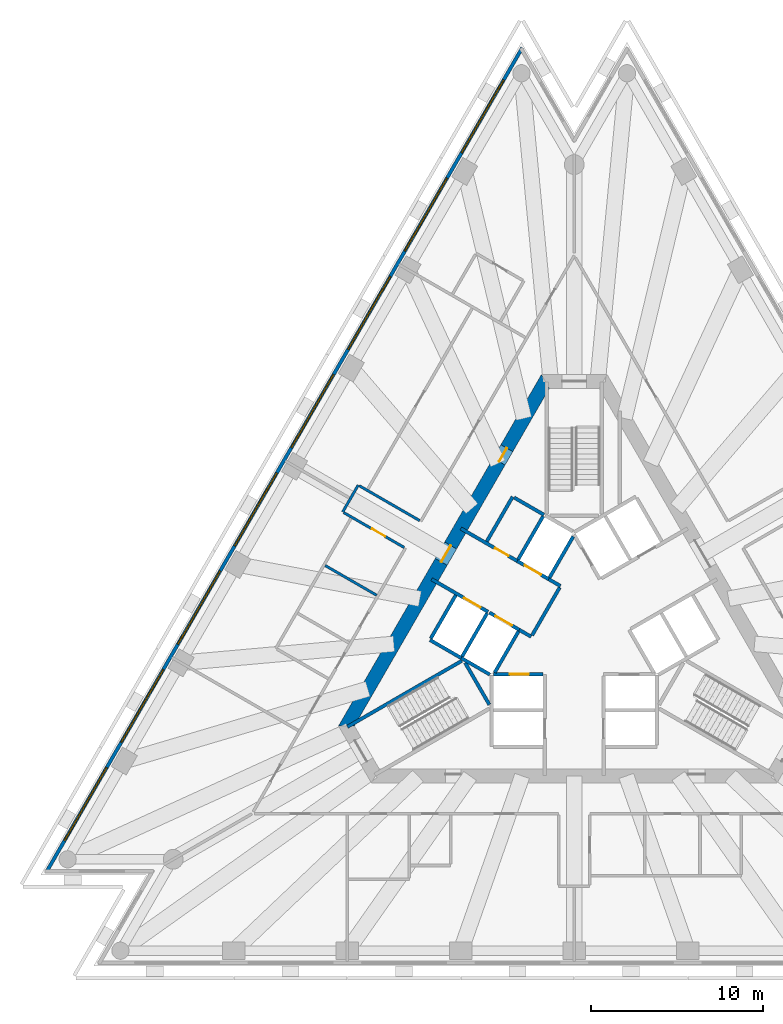
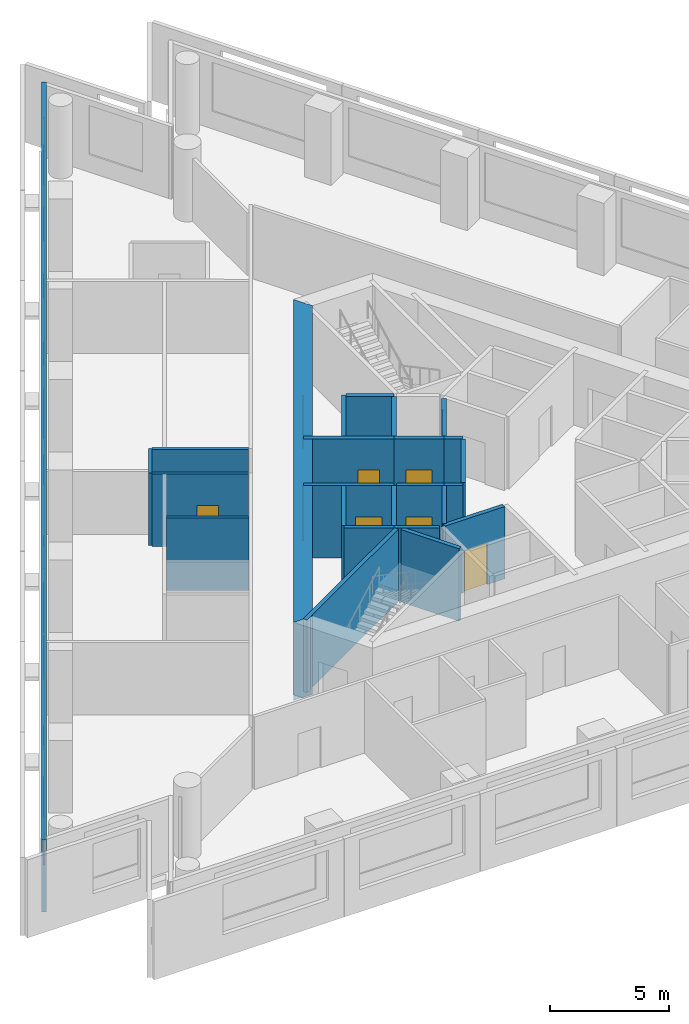
# One storey, part 4 of 10: 25 walls, 8 doors, 8 windows, 16 openings.
"""IFC4 building model written with IfcOpenShell, lengths in metres."""

from ifc_helpers import new_model, si_unit, direction, frame, frame_2d, origin, place, context, subcontext, project, spatial, polyline, rectangle, outline, extrude, material, layer, layer_set, layer_usage, type_object, element, fill, save


model = new_model("IFC4")

# Units and contexts
model_context = context("Model", 3, precision=1e-05, world=origin(), true_north=direction((0.0, 1.0)))
body_context = subcontext(model_context, "Body", "Model", "MODEL_VIEW")
ifc_project = project(units=[si_unit("LENGTHUNIT", "METRE"), si_unit("AREAUNIT", "SQUARE_METRE"), si_unit("VOLUMEUNIT", "CUBIC_METRE"), si_unit("PLANEANGLEUNIT", "RADIAN"), si_unit("MASSUNIT", "GRAM", prefix="KILO")], contexts=[model_context])

# Site, building, storey
site_placement = place(None, origin())
site = spatial("IfcSite", under=ifc_project, at=site_placement, CompositionType="ELEMENT")
building_placement = place(site_placement, origin())
building = spatial("IfcBuilding", under=site, at=building_placement, Name="Triada Interchange Tower", CompositionType="ELEMENT")
storey_placement = place(building_placement, frame((0.0, 0.0, 160.300048828125)))
storey = spatial("IfcBuildingStorey", under=building, at=storey_placement, Name="L37", CompositionType="ELEMENT", Elevation=160.300048828125)

# Walls
ifc_material_1 = material(Name="Concrete C30/37", Category="concrete")
ifc_layer_1 = layer(ifc_material_1, 0.199951171875)
ifc_layer_set_1 = layer_set([ifc_layer_1], Name="CORE WALL 200 EI 120")
wall_type_1 = type_object("IfcWallType", Name="CORE WALL 200 EI 120", PredefinedType="SOLIDWALL", material=ifc_layer_set_1)
wall_1_placement = place(storey_placement, frame((-8.3759765625, -0.70703125, 0.0), z_axis=(0.0, 0.0, 1.0), x_axis=(0.866067520717, -0.499927044236, 0.0)))
element("IfcWall", 1, at=wall_1_placement, inside=storey, type_object=wall_type_1, Name="Wall L35 51", PredefinedType="SOLIDWALL", context=body_context, shape_type="SweptSolid", body=[
    extrude(rectangle(XDim=2.100341796875, YDim=0.199951171875, at=frame_2d((1.05029296875, 0.0))), origin(), (0.0, 0.0, 1.0), 3.699951171875),
])
wall_2_placement = place(storey_placement, frame((-8.325927734375, -0.6201171875, 0.0), z_axis=(0.0, 0.0, 1.0), x_axis=(0.500023687443, 0.866011727401, 0.0)))
element("IfcWall", 2, at=wall_2_placement, inside=storey, type_object=wall_type_1, Name="Wall L35 52", PredefinedType="SOLIDWALL", context=body_context, shape_type="SweptSolid", body=[
    extrude(rectangle(XDim=2.899658203125, YDim=0.199951171875, at=frame_2d((1.44970703125, 0.0))), origin(), (0.0, 0.0, 1.0), 3.699951171875),
])

# Wall, opening, door
wall_3_placement = place(storey_placement, frame((-4.676025390625, -2.699951171875, 0.0), z_axis=(0.0, 0.0, 1.0), x_axis=(1.0, 0.0, 0.0)))
wall_3 = element("IfcWall", 3, at=wall_3_placement, inside=storey, type_object=wall_type_1, Name="Wall L35 59", PredefinedType="SOLIDWALL", context=body_context, shape_type="SweptSolid", body=[
    extrude(rectangle(XDim=2.873046875, YDim=0.199951171875, at=frame_2d((1.4365234375, 0.0))), origin(), (0.0, 0.0, 1.0), 3.699951171875),
])
opening_1_placement = place(wall_3_placement, frame((0.93701171875, 0.0, 0.0)))
opening_1 = element("IfcOpeningElement", 4, at=opening_1_placement, cuts=wall_3, Name="Opening LD-LR3", PredefinedType="OPENING", context=body_context, shape_type="SweptSolid", body=[
    extrude(rectangle(XDim=1.10009765625, YDim=2.10009765625, at=frame_2d((0.550048828125, 1.050048828125))), frame((0.0, 0.10986328125, 0.0), z_axis=(0.0, -1.0, 0.0), x_axis=(1.0, 0.0, 0.0)), (0.0, 0.0, 1.0), 0.219970703125),
])
ifc_material_2 = material(Name="Steel S235 door leaf", Category="steel")
door_type_1 = type_object("IfcDoorType", Name="LIFT LANDING DOOR 1100 EI 120", OperationType="SLIDING_TO_LEFT", PredefinedType="DOOR", material=ifc_material_2)
door_1_placement = place(opening_1_placement, origin())
door_1 = element("IfcDoor", 5, at=door_1_placement, inside=storey, type_object=door_type_1, Name="LR3 landing door L37", OperationType="SLIDING_TO_LEFT", OverallHeight=2.10009765625, OverallWidth=1.10009765625, PredefinedType="DOOR", context=body_context, shape_type="SweptSolid", body=[
    extrude(rectangle(XDim=1.10009765625, YDim=2.10009765625, at=frame_2d((0.550048828125, 1.050048828125))), frame((0.0, 0.02490234375, 0.0), z_axis=(0.0, -1.0, 0.0), x_axis=(1.0, 0.0, 0.0)), (0.0, 0.0, 1.0), 0.050048828125),
])
fill(opening_1, door_1)

ifc_layer_2 = layer(ifc_material_1, 0.199951171875)
ifc_layer_set_2 = layer_set([ifc_layer_2], Name="CORE WALL 200 EI 180")
wall_type_2 = type_object("IfcWallType", Name="CORE WALL 200 EI 180", PredefinedType="SOLIDWALL", material=ifc_layer_set_2)
wall_4_placement = place(storey_placement, frame((-8.280029296875, 2.818115234375, 0.0), z_axis=(0.0, 0.0, 1.0), x_axis=(0.86600175068, -0.50004096614, 0.0)))
wall_4 = element("IfcWall", 6, at=wall_4_placement, inside=storey, type_object=wall_type_2, Name="Wall L35 73", PredefinedType="SOLIDWALL", context=body_context, shape_type="SweptSolid", body=[
    extrude(rectangle(XDim=3.781982421875, YDim=0.199951171875, at=frame_2d((1.89111328125, 0.0))), origin(), (0.0, 0.0, 1.0), 3.699951171875),
])
opening_2_placement = place(wall_4_placement, frame((2.179931640625, 0.0, 0.0)))
opening_2 = element("IfcOpeningElement", 7, at=opening_2_placement, cuts=wall_4, Name="Opening LD-SV1", PredefinedType="OPENING", context=body_context, shape_type="SweptSolid", body=[
    extrude(rectangle(XDim=1.10009765625, YDim=2.10009765625, at=frame_2d((0.550048828125, 1.050048828125))), frame((0.0, 0.10986328125, 0.0), z_axis=(0.0, -1.0, 0.0), x_axis=(1.0, 0.0, 0.0)), (0.0, 0.0, 1.0), 0.219970703125),
])
door_2_placement = place(opening_2_placement, origin())
door_2 = element("IfcDoor", 8, at=door_2_placement, inside=storey, type_object=door_type_1, Name="SV1 landing door L37", OperationType="SLIDING_TO_LEFT", OverallHeight=2.10009765625, OverallWidth=1.10009765625, PredefinedType="DOOR", context=body_context, shape_type="SweptSolid", body=[
    extrude(rectangle(XDim=1.10009765625, YDim=2.10009765625, at=frame_2d((0.550048828125, 1.050048828125))), frame((0.0, 0.02490234375, 0.0), z_axis=(0.0, -1.0, 0.0), x_axis=(1.0, 0.0, 0.0)), (0.0, 0.0, 1.0), 0.050048828125),
])
fill(opening_2, door_2)

# Wall
wall_5_placement = place(storey_placement, frame((-3.18798828125, -0.1220703125, 0.0), z_axis=(0.0, 0.0, 1.0), x_axis=(0.865705793592, -0.50055317294, 0.0)))
element("IfcWall", 9, at=wall_5_placement, inside=storey, type_object=wall_type_2, Name="Wall L35 74", PredefinedType="SOLIDWALL", context=body_context, shape_type="SweptSolid", body=[
    extrude(rectangle(XDim=0.796875, YDim=0.199951171875, at=frame_2d((0.3984375, 0.0))), origin(), (0.0, 0.0, 1.0), 3.699951171875),
])

# Wall, opening, door
wall_6_placement = place(storey_placement, frame((-6.580078125, 5.761962890625, 0.0), z_axis=(0.0, 0.0, 1.0), x_axis=(0.866029704776, -0.49999255039, 0.0)))
wall_6 = element("IfcWall", 10, at=wall_6_placement, inside=storey, type_object=wall_type_2, Name="Wall L35 75", PredefinedType="SOLIDWALL", context=body_context, shape_type="SweptSolid", body=[
    extrude(rectangle(XDim=3.78173828125, YDim=0.199951171875, at=frame_2d((1.890869140625, 0.0))), origin(), (0.0, 0.0, 1.0), 3.699951171875),
])
opening_3_placement = place(wall_6_placement, frame((2.279052734375, 0.0, 0.0)))
opening_3 = element("IfcOpeningElement", 11, at=opening_3_placement, cuts=wall_6, Name="Opening D35-10", PredefinedType="OPENING", context=body_context, shape_type="SweptSolid", body=[
    extrude(rectangle(XDim=0.89990234375, YDim=2.10009765625, at=frame_2d((0.449951171875, 1.050048828125))), frame((0.0, 0.10986328125, 0.0), z_axis=(0.0, -1.0, 0.0), x_axis=(1.0, 0.0, 0.0)), (0.0, 0.0, 1.0), 0.219970703125),
])
door_type_2 = type_object("IfcDoorType", Name="SERVICE DOOR 900 EI2 90-C5S200", OperationType="NOTDEFINED", PredefinedType="DOOR", material=ifc_material_2)
door_3_placement = place(opening_3_placement, origin())
door_3 = element("IfcDoor", 12, at=door_3_placement, inside=storey, type_object=door_type_2, Name="Door D35-10 L37", OperationType="SINGLE_SWING_LEFT", OverallHeight=2.10009765625, OverallWidth=0.89990234375, PredefinedType="DOOR", context=body_context, shape_type="SweptSolid", body=[
    extrude(rectangle(XDim=0.89990234375, YDim=2.10009765625, at=frame_2d((0.449951171875, 1.050048828125))), frame((0.0, 0.02490234375, 0.0), z_axis=(0.0, -1.0, 0.0), x_axis=(1.0, 0.0, 0.0)), (0.0, 0.0, 1.0), 0.050048828125),
])
fill(opening_3, door_3)

# Walls
wall_7_placement = place(storey_placement, frame((-1.488037109375, 2.822021484375, 0.0), z_axis=(0.0, 0.0, 1.0), x_axis=(0.866236612152, -0.499633997809, 0.0)))
element("IfcWall", 13, at=wall_7_placement, inside=storey, type_object=wall_type_2, Name="Wall L35 76", PredefinedType="SOLIDWALL", context=body_context, shape_type="SweptSolid", body=[
    extrude(rectangle(XDim=0.79638671875, YDim=0.199951171875, at=frame_2d((0.398193359375, 0.0))), origin(), (0.0, 0.0, 1.0), 3.699951171875),
])
wall_8_placement = place(storey_placement, frame((-5.075927734375, 5.009033203125, 0.0), z_axis=(0.0, 0.0, 1.0), x_axis=(0.50002537861, 0.866010750942, 0.0)))
element("IfcWall", 14, at=wall_8_placement, inside=storey, type_object=wall_type_2, Name="Wall L35 77", PredefinedType="SOLIDWALL", context=body_context, shape_type="SweptSolid", body=[
    extrude(rectangle(XDim=2.999755859375, YDim=0.199951171875, at=frame_2d((1.5, 0.0))), origin(), (0.0, 0.0, 1.0), 3.699951171875),
])
wall_9_placement = place(storey_placement, frame((-3.489013671875, 7.556884765625, 0.0), z_axis=(0.0, 0.0, 1.0), x_axis=(0.866010750942, -0.50002537861, 0.0)))
element("IfcWall", 15, at=wall_9_placement, inside=storey, type_object=wall_type_2, Name="Wall L35 78", PredefinedType="SOLIDWALL", context=body_context, shape_type="SweptSolid", body=[
    extrude(rectangle(XDim=2.0, YDim=0.199951171875, at=frame_2d((1.0, 0.0))), origin(), (0.0, 0.0, 1.0), 3.699951171875),
])
wall_10_placement = place(storey_placement, frame((-2.444091796875, -0.43310546875, 0.0), z_axis=(0.0, 0.0, 1.0), x_axis=(0.500035624827, 0.866004834804, 0.0)))
element("IfcWall", 16, at=wall_10_placement, inside=storey, type_object=wall_type_2, Name="Wall L35 79", PredefinedType="SOLIDWALL", context=body_context, shape_type="SweptSolid", body=[
    extrude(rectangle(XDim=3.194091796875, YDim=0.199951171875, at=frame_2d((1.59716796875, 0.0))), origin(), (0.0, 0.0, 1.0), 3.699951171875),
])
wall_11_placement = place(storey_placement, frame((-6.556884765625, -1.757080078125, 0.0), z_axis=(0.0, 0.0, 1.0), x_axis=(0.8659754619, -0.500086491905, 0.0)))
element("IfcWall", 17, at=wall_11_placement, inside=storey, type_object=wall_type_2, Name="Shaft wall FF1 L35 80", PredefinedType="SOLIDWALL", context=body_context, shape_type="SweptSolid", body=[
    extrude(rectangle(XDim=1.915771484375, YDim=0.199951171875, at=frame_2d((0.9580078125, 0.0))), origin(), (0.0, 0.0, 1.0), 3.699951171875),
])
wall_12_placement = place(storey_placement, frame((-6.507080078125, -1.669921875, 0.0), z_axis=(0.0, 0.0, 1.0), x_axis=(0.50012328804, 0.865954211699, 0.0)))
element("IfcWall", 18, at=wall_12_placement, inside=storey, type_object=wall_type_2, Name="Shaft wall FF1 L35 81", PredefinedType="SOLIDWALL", context=body_context, shape_type="SweptSolid", body=[
    extrude(rectangle(XDim=2.899658203125, YDim=0.199951171875, at=frame_2d((1.44970703125, 0.0))), origin(), (0.0, 0.0, 1.0), 3.699951171875),
])

# Wall, opening, door
wall_13_placement = place(storey_placement, frame((-4.919921875, 0.8779296875, 0.0), z_axis=(0.0, 0.0, 1.0), x_axis=(0.866010750942, -0.50002537861, 0.0)))
wall_13 = element("IfcWall", 19, at=wall_13_placement, inside=storey, type_object=wall_type_2, Name="Shaft wall FF1 L35 82", PredefinedType="SOLIDWALL", context=body_context, shape_type="SweptSolid", body=[
    extrude(rectangle(XDim=2.0, YDim=0.199951171875, at=frame_2d((1.0, 0.0))), origin(), (0.0, 0.0, 1.0), 3.699951171875),
])
opening_4_placement = place(wall_13_placement, frame((0.39990234375, 0.0, 0.0)))
opening_4 = element("IfcOpeningElement", 20, at=opening_4_placement, cuts=wall_13, Name="Opening LD-FF1", PredefinedType="OPENING", context=body_context, shape_type="SweptSolid", body=[
    extrude(rectangle(XDim=1.10009765625, YDim=2.10009765625, at=frame_2d((0.550048828125, 1.050048828125))), frame((0.0, 0.10986328125, 0.0), z_axis=(0.0, -1.0, 0.0), x_axis=(1.0, 0.0, 0.0)), (0.0, 0.0, 1.0), 0.219970703125),
])
door_4_placement = place(opening_4_placement, origin())
door_4 = element("IfcDoor", 21, at=door_4_placement, inside=storey, type_object=door_type_1, Name="FF1 landing door L37", OperationType="SLIDING_TO_LEFT", OverallHeight=2.10009765625, OverallWidth=1.10009765625, PredefinedType="DOOR", context=body_context, shape_type="SweptSolid", body=[
    extrude(rectangle(XDim=1.10009765625, YDim=2.10009765625, at=frame_2d((0.550048828125, 1.050048828125))), frame((0.0, 0.02490234375, 0.0), z_axis=(0.0, -1.0, 0.0), x_axis=(1.0, 0.0, 0.0)), (0.0, 0.0, 1.0), 0.050048828125),
])
fill(opening_4, door_4)

# Wall
wall_14_placement = place(storey_placement, frame((-4.618896484375, -2.60009765625, 0.0), z_axis=(0.0, 0.0, 1.0), x_axis=(0.50009492287, 0.865970593103, 0.0)))
element("IfcWall", 22, at=wall_14_placement, inside=storey, type_object=wall_type_2, Name="Shaft wall FF1 L35 83", PredefinedType="SOLIDWALL", context=body_context, shape_type="SweptSolid", body=[
    extrude(rectangle(XDim=2.76123046875, YDim=0.199951171875, at=frame_2d((1.380615234375, 0.0))), origin(), (0.0, 0.0, 1.0), 3.699951171875),
])

# Wall, opening, door
wall_15_placement = place(storey_placement, frame((-3.30908203125, 3.873046875, 0.0), z_axis=(0.0, 0.0, 1.0), x_axis=(0.866098583652, -0.499873227325, 0.0)))
wall_15 = element("IfcWall", 23, at=wall_15_placement, inside=storey, type_object=wall_type_2, Name="Shaft wall FF2 L35 84", PredefinedType="SOLIDWALL", context=body_context, shape_type="SweptSolid", body=[
    extrude(rectangle(XDim=2.1025390625, YDim=0.199951171875, at=frame_2d((1.05126953125, 0.0))), origin(), (0.0, 0.0, 1.0), 3.699951171875),
])
opening_5_placement = place(wall_15_placement, frame((0.501953125, 0.0, 0.0)))
opening_5 = element("IfcOpeningElement", 24, at=opening_5_placement, cuts=wall_15, Name="Opening LD-FF2", PredefinedType="OPENING", context=body_context, shape_type="SweptSolid", body=[
    extrude(rectangle(XDim=1.10009765625, YDim=2.10009765625, at=frame_2d((0.550048828125, 1.050048828125))), frame((0.0, 0.10986328125, 0.0), z_axis=(0.0, -1.0, 0.0), x_axis=(1.0, 0.0, 0.0)), (0.0, 0.0, 1.0), 0.219970703125),
])
door_5_placement = place(opening_5_placement, origin())
door_5 = element("IfcDoor", 25, at=door_5_placement, inside=storey, type_object=door_type_1, Name="FF2 landing door L37", OperationType="SLIDING_TO_LEFT", OverallHeight=2.10009765625, OverallWidth=1.10009765625, PredefinedType="DOOR", context=body_context, shape_type="SweptSolid", body=[
    extrude(rectangle(XDim=1.10009765625, YDim=2.10009765625, at=frame_2d((0.550048828125, 1.050048828125))), frame((0.0, 0.02490234375, 0.0), z_axis=(0.0, -1.0, 0.0), x_axis=(1.0, 0.0, 0.0)), (0.0, 0.0, 1.0), 0.050048828125),
])
fill(opening_5, door_5)

# Walls
wall_16_placement = place(storey_placement, frame((-3.257080078125, 3.958984375, 0.0), z_axis=(0.0, 0.0, 1.0), x_axis=(0.50012328804, 0.865954211699, 0.0)))
element("IfcWall", 26, at=wall_16_placement, inside=storey, type_object=wall_type_2, Name="Shaft wall FF2 L35 85", PredefinedType="SOLIDWALL", context=body_context, shape_type="SweptSolid", body=[
    extrude(rectangle(XDim=2.899658203125, YDim=0.199951171875, at=frame_2d((1.44970703125, 0.0))), origin(), (0.0, 0.0, 1.0), 3.699951171875),
])
wall_17_placement = place(storey_placement, frame((-1.43798828125, 2.908935546875, 0.0), z_axis=(0.0, 0.0, 1.0), x_axis=(0.499829630636, 0.866123744241, 0.0)))
element("IfcWall", 27, at=wall_17_placement, inside=storey, type_object=wall_type_2, Name="Shaft wall FF2 L35 87", PredefinedType="SOLIDWALL", context=body_context, shape_type="SweptSolid", body=[
    extrude(rectangle(XDim=2.7607421875, YDim=0.199951171875, at=frame_2d((1.38037109375, 0.0))), origin(), (0.0, 0.0, 1.0), 3.699951171875),
])
ifc_layer_3 = layer(ifc_material_1, 0.199951171875)
ifc_layer_set_3 = layer_set([ifc_layer_3], Name="CORE WALL 200 REI 240")
wall_type_3 = type_object("IfcWallType", Name="CORE WALL 200 REI 240", PredefinedType="SOLIDWALL", material=ifc_layer_set_3)
wall_18_placement = place(storey_placement, frame((-13.1669921875, -5.75390625, 0.0), z_axis=(0.0, 0.0, 1.0), x_axis=(0.866060938598, 0.499938446846, 0.0)))
element("IfcWall", 28, at=wall_18_placement, inside=storey, type_object=wall_type_3, Name="Wall L35 89", PredefinedType="SOLIDWALL", context=body_context, shape_type="SweptSolid", body=[
    extrude(rectangle(XDim=7.66455078125, YDim=0.199951171875, at=frame_2d((3.832275390625, 0.0))), origin(), (0.0, 0.0, 1.0), 3.699951171875),
])
wall_19_placement = place(storey_placement, frame((-6.3291015625, -2.0380859375, 0.0), z_axis=(0.0, 0.0, 1.0), x_axis=(0.500200581029, -0.865909567298, 0.0)))
element("IfcWall", 29, at=wall_19_placement, inside=storey, type_object=wall_type_3, Name="Wall L35 90", PredefinedType="SOLIDWALL", context=body_context, shape_type="SweptSolid", body=[
    extrude(rectangle(XDim=2.799072265625, YDim=0.199951171875, at=frame_2d((1.3994140625, 0.0))), origin(), (0.0, 0.0, 1.0), 3.699951171875),
])

# Wall, openings, doors
ifc_material_3 = material(Name="Concrete C60/75", Category="concrete")
ifc_layer_4 = layer(ifc_material_3, 0.800048828125)
ifc_layer_set_4 = layer_set([ifc_layer_4], Name="Core wall B 800")
wall_type_4 = type_object("IfcWallType", Name="Core wall B 800", PredefinedType="SHEAR", material=ifc_layer_set_4)
wall_20_placement = place(storey_placement, frame((-1.674072265625, 14.300048828125, -0.300048828125), z_axis=(0.0, 0.0, 1.0), x_axis=(-0.499995765644, -0.866027848477, 0.0)))
wall_20 = element("IfcWall", 30, at=wall_20_placement, inside=storey, type_object=wall_type_4, Name="Core wall WB02 L37", PredefinedType="SHEAR", context=body_context, shape_type="SweptSolid", body=[
    extrude(outline(polyline([(-0.23095703125, -0.39990234375), (1.73193359375, -0.39990234375), (3.695068359375, -0.39990234375), (5.657958984375, -0.39990234375), (7.62109375, -0.39990234375), (9.583984375, -0.39990234375), (11.546875, -0.39990234375), (13.510009765625, -0.39990234375), (15.472900390625, -0.39990234375), (17.43603515625, -0.39990234375), (19.39892578125, -0.39990234375), (21.362060546875, -0.39990234375), (23.324951171875, -0.39990234375), (22.863037109375, 0.39990234375), (20.97705078125, 0.39990234375), (19.091064453125, 0.39990234375), (17.205078125, 0.39990234375), (15.319091796875, 0.39990234375), (13.43310546875, 0.39990234375), (11.546875, 0.39990234375), (9.660888671875, 0.39990234375), (7.77490234375, 0.39990234375), (5.888916015625, 0.39990234375), (4.0029296875, 0.39990234375), (2.116943359375, 0.39990234375), (0.23095703125, 0.39990234375), (-0.23095703125, -0.39990234375)])), origin(), (0.0, 0.0, 1.0), 4.0),
])
opening_6_placement = place(wall_20_placement, frame((10.9970703125, 0.0, 0.300048828125)))
opening_6 = element("IfcOpeningElement", 31, at=opening_6_placement, cuts=wall_20, Name="Opening D35-40", PredefinedType="OPENING", context=body_context, shape_type="SweptSolid", body=[
    extrude(rectangle(XDim=1.10009765625, YDim=2.10009765625, at=frame_2d((0.550048828125, 1.050048828125))), frame((0.0, 0.409912109375, 0.0), z_axis=(0.0, -1.0, 0.0), x_axis=(1.0, 0.0, 0.0)), (0.0, 0.0, 1.0), 0.820068359375),
])
opening_7_placement = place(wall_20_placement, frame((4.47412109375, 0.0, 0.300048828125)))
opening_7 = element("IfcOpeningElement", 32, at=opening_7_placement, cuts=wall_20, Name="Opening D35-42", PredefinedType="OPENING", context=body_context, shape_type="SweptSolid", body=[
    extrude(rectangle(XDim=0.89990234375, YDim=2.10009765625, at=frame_2d((0.449951171875, 1.050048828125))), frame((0.0, 0.409912109375, 0.0), z_axis=(0.0, -1.0, 0.0), x_axis=(1.0, 0.0, 0.0)), (0.0, 0.0, 1.0), 0.820068359375),
])
door_type_3 = type_object("IfcDoorType", Name="FIRE LOBBY DOOR 1100 EI2 90-C5S200", OperationType="NOTDEFINED", PredefinedType="DOOR", material=ifc_material_2)
door_6_placement = place(opening_6_placement, origin())
door_6 = element("IfcDoor", 33, at=door_6_placement, inside=storey, type_object=door_type_3, Name="Door D35-40 L37", OperationType="SINGLE_SWING_LEFT", OverallHeight=2.10009765625, OverallWidth=1.10009765625, PredefinedType="DOOR", context=body_context, shape_type="SweptSolid", body=[
    extrude(rectangle(XDim=1.10009765625, YDim=2.10009765625, at=frame_2d((0.550048828125, 1.050048828125))), frame((0.0, 0.02490234375, 0.0), z_axis=(0.0, -1.0, 0.0), x_axis=(1.0, 0.0, 0.0)), (0.0, 0.0, 1.0), 0.050048828125),
])
fill(opening_6, door_6)
door_type_4 = type_object("IfcDoorType", Name="RISER ACCESS DOOR 900 EI2 45-C5S200", OperationType="NOTDEFINED", PredefinedType="DOOR", material=ifc_material_2)
door_7_placement = place(opening_7_placement, origin())
door_7 = element("IfcDoor", 34, at=door_7_placement, inside=storey, type_object=door_type_4, Name="Door D35-42 L37", OperationType="SINGLE_SWING_RIGHT", OverallHeight=2.10009765625, OverallWidth=0.89990234375, PredefinedType="DOOR", context=body_context, shape_type="SweptSolid", body=[
    extrude(rectangle(XDim=0.89990234375, YDim=2.10009765625, at=frame_2d((0.449951171875, 1.050048828125))), frame((0.0, 0.02490234375, 0.0), z_axis=(0.0, -1.0, 0.0), x_axis=(1.0, 0.0, 0.0)), (0.0, 0.0, 1.0), 0.050048828125),
])
fill(opening_7, door_7)

# Wall, openings, windows
ifc_material_4 = material(Name="Cement board")
ifc_layer_5 = layer(ifc_material_4, 0.02001953125, Name="Cement board cladding")
ifc_material_5 = material(Name="Sheathing board")
ifc_layer_6 = layer(ifc_material_5, 0.014892578125, Name="Sheathing board")
ifc_material_6 = material(Name="Mineral wool")
ifc_layer_7 = layer(ifc_material_6, 0.14990234375, Name="Mineral wool between steel studs")
ifc_material_7 = material(Name="Gypsum board")
ifc_layer_8 = layer(ifc_material_7, 0.014892578125, Name="Plasterboard lining")
ifc_layer_set_5 = layer_set([ifc_layer_5, ifc_layer_6, ifc_layer_7, ifc_layer_8], Name="External wall 200")
ifc_layer_usage = layer_usage(ifc_layer_set_5, "AXIS2", "POSITIVE", -0.10009765625)
wall_type_5 = type_object("IfcWallType", Name="External wall 200", PredefinedType="ELEMENTEDWALL", material=ifc_layer_set_5)
wall_21_placement = place(storey_placement, frame((-3.01806640625, 33.666015625, 0.0), z_axis=(0.0, 0.0, 1.0), x_axis=(-0.499984613623, -0.866034286931, 0.0)))
wall_21 = element("IfcWall", 35, at=wall_21_placement, inside=storey, type_object=wall_type_5, material=ifc_layer_usage, Name="External wall L37 NW", PredefinedType="ELEMENTEDWALL", context=body_context, shape_type="SweptSolid", body=[
    extrude(rectangle(XDim=55.273681640625, YDim=0.199951171875, at=frame_2d((27.63671875, 0.0))), origin(), (0.0, 0.0, 1.0), 3.699951171875),
])
opening_8_placement = place(wall_21_placement, frame((2.14501953125, 0.0, 0.89990234375)))
opening_8 = element("IfcOpeningElement", 36, at=opening_8_placement, cuts=wall_21, Name="Opening WB01", PredefinedType="OPENING", context=body_context, shape_type="SweptSolid", body=[
    extrude(rectangle(XDim=4.89990234375, YDim=2.5, at=frame_2d((2.449951171875, 1.25))), frame((0.0, 0.10986328125, 0.0), z_axis=(0.0, -1.0, 0.0), x_axis=(1.0, 0.0, 0.0)), (0.0, 0.0, 1.0), 0.219970703125),
])
opening_9_placement = place(wall_21_placement, frame((8.73095703125, 0.0, 0.89990234375)))
opening_9 = element("IfcOpeningElement", 37, at=opening_9_placement, cuts=wall_21, Name="Opening WB02", PredefinedType="OPENING", context=body_context, shape_type="SweptSolid", body=[
    extrude(rectangle(XDim=4.89990234375, YDim=2.5, at=frame_2d((2.449951171875, 1.25))), frame((0.0, 0.10986328125, 0.0), z_axis=(0.0, -1.0, 0.0), x_axis=(1.0, 0.0, 0.0)), (0.0, 0.0, 1.0), 0.219970703125),
])
opening_10_placement = place(wall_21_placement, frame((15.318115234375, 0.0, 0.89990234375)))
opening_10 = element("IfcOpeningElement", 38, at=opening_10_placement, cuts=wall_21, Name="Opening WB03", PredefinedType="OPENING", context=body_context, shape_type="SweptSolid", body=[
    extrude(rectangle(XDim=4.89990234375, YDim=2.5, at=frame_2d((2.449951171875, 1.25))), frame((0.0, 0.10986328125, 0.0), z_axis=(0.0, -1.0, 0.0), x_axis=(1.0, 0.0, 0.0)), (0.0, 0.0, 1.0), 0.219970703125),
])
opening_11_placement = place(wall_21_placement, frame((21.904052734375, 0.0, 0.89990234375)))
opening_11 = element("IfcOpeningElement", 39, at=opening_11_placement, cuts=wall_21, Name="Opening WB04", PredefinedType="OPENING", context=body_context, shape_type="SweptSolid", body=[
    extrude(rectangle(XDim=4.89990234375, YDim=2.5, at=frame_2d((2.449951171875, 1.25))), frame((0.0, 0.10986328125, 0.0), z_axis=(0.0, -1.0, 0.0), x_axis=(1.0, 0.0, 0.0)), (0.0, 0.0, 1.0), 0.219970703125),
])
opening_12_placement = place(wall_21_placement, frame((28.489990234375, 0.0, 0.89990234375)))
opening_12 = element("IfcOpeningElement", 40, at=opening_12_placement, cuts=wall_21, Name="Opening WB05", PredefinedType="OPENING", context=body_context, shape_type="SweptSolid", body=[
    extrude(rectangle(XDim=4.89990234375, YDim=2.5, at=frame_2d((2.449951171875, 1.25))), frame((0.0, 0.10986328125, 0.0), z_axis=(0.0, -1.0, 0.0), x_axis=(1.0, 0.0, 0.0)), (0.0, 0.0, 1.0), 0.219970703125),
])
opening_13_placement = place(wall_21_placement, frame((35.075927734375, 0.0, 0.89990234375)))
opening_13 = element("IfcOpeningElement", 41, at=opening_13_placement, cuts=wall_21, Name="Opening WB06", PredefinedType="OPENING", context=body_context, shape_type="SweptSolid", body=[
    extrude(rectangle(XDim=4.89990234375, YDim=2.5, at=frame_2d((2.449951171875, 1.25))), frame((0.0, 0.10986328125, 0.0), z_axis=(0.0, -1.0, 0.0), x_axis=(1.0, 0.0, 0.0)), (0.0, 0.0, 1.0), 0.219970703125),
])
opening_14_placement = place(wall_21_placement, frame((41.662109375, 0.0, 0.89990234375)))
opening_14 = element("IfcOpeningElement", 42, at=opening_14_placement, cuts=wall_21, Name="Opening WB07", PredefinedType="OPENING", context=body_context, shape_type="SweptSolid", body=[
    extrude(rectangle(XDim=4.89990234375, YDim=2.5, at=frame_2d((2.449951171875, 1.25))), frame((0.0, 0.10986328125, 0.0), z_axis=(0.0, -1.0, 0.0), x_axis=(1.0, 0.0, 0.0)), (0.0, 0.0, 1.0), 0.219970703125),
])
opening_15_placement = place(wall_21_placement, frame((48.248046875, 0.0, 0.89990234375)))
opening_15 = element("IfcOpeningElement", 43, at=opening_15_placement, cuts=wall_21, Name="Opening WB08", PredefinedType="OPENING", context=body_context, shape_type="SweptSolid", body=[
    extrude(rectangle(XDim=4.89990234375, YDim=2.5, at=frame_2d((2.449951171875, 1.25))), frame((0.0, 0.10986328125, 0.0), z_axis=(0.0, -1.0, 0.0), x_axis=(1.0, 0.0, 0.0)), (0.0, 0.0, 1.0), 0.219970703125),
])
ifc_material_8 = material(Name="Double glazed aluminium window", Category="aluminium")
window_type = type_object("IfcWindowType", Name="Ribbon window B face", PartitioningType="SINGLE_PANEL", PredefinedType="WINDOW", material=ifc_material_8)
window_1_placement = place(opening_8_placement, origin())
window_1 = element("IfcWindow", 44, at=window_1_placement, inside=storey, type_object=window_type, Name="Window L37 NW 1", OverallHeight=2.5, OverallWidth=4.89990234375, PartitioningType="SINGLE_PANEL", PredefinedType="WINDOW", context=body_context, shape_type="SweptSolid", body=[
    extrude(rectangle(XDim=4.89990234375, YDim=2.5, at=frame_2d((2.449951171875, 1.25))), frame((0.0, 0.030029296875, 0.0), z_axis=(0.0, -1.0, 0.0), x_axis=(1.0, 0.0, 0.0)), (0.0, 0.0, 1.0), 0.06005859375),
])
fill(opening_8, window_1)
window_2_placement = place(opening_9_placement, origin())
window_2 = element("IfcWindow", 45, at=window_2_placement, inside=storey, type_object=window_type, Name="Window L37 NW 2", OverallHeight=2.5, OverallWidth=4.89990234375, PartitioningType="SINGLE_PANEL", PredefinedType="WINDOW", context=body_context, shape_type="SweptSolid", body=[
    extrude(rectangle(XDim=4.89990234375, YDim=2.5, at=frame_2d((2.449951171875, 1.25))), frame((0.0, 0.030029296875, 0.0), z_axis=(0.0, -1.0, 0.0), x_axis=(1.0, 0.0, 0.0)), (0.0, 0.0, 1.0), 0.06005859375),
])
fill(opening_9, window_2)
window_3_placement = place(opening_10_placement, origin())
window_3 = element("IfcWindow", 46, at=window_3_placement, inside=storey, type_object=window_type, Name="Window L37 NW 3", OverallHeight=2.5, OverallWidth=4.89990234375, PartitioningType="SINGLE_PANEL", PredefinedType="WINDOW", context=body_context, shape_type="SweptSolid", body=[
    extrude(rectangle(XDim=4.89990234375, YDim=2.5, at=frame_2d((2.449951171875, 1.25))), frame((0.0, 0.030029296875, 0.0), z_axis=(0.0, -1.0, 0.0), x_axis=(1.0, 0.0, 0.0)), (0.0, 0.0, 1.0), 0.06005859375),
])
fill(opening_10, window_3)
window_4_placement = place(opening_11_placement, origin())
window_4 = element("IfcWindow", 47, at=window_4_placement, inside=storey, type_object=window_type, Name="Window L37 NW 4", OverallHeight=2.5, OverallWidth=4.89990234375, PartitioningType="SINGLE_PANEL", PredefinedType="WINDOW", context=body_context, shape_type="SweptSolid", body=[
    extrude(rectangle(XDim=4.89990234375, YDim=2.5, at=frame_2d((2.449951171875, 1.25))), frame((0.0, 0.030029296875, 0.0), z_axis=(0.0, -1.0, 0.0), x_axis=(1.0, 0.0, 0.0)), (0.0, 0.0, 1.0), 0.06005859375),
])
fill(opening_11, window_4)
window_5_placement = place(opening_12_placement, origin())
window_5 = element("IfcWindow", 48, at=window_5_placement, inside=storey, type_object=window_type, Name="Window L37 NW 5", OverallHeight=2.5, OverallWidth=4.89990234375, PartitioningType="SINGLE_PANEL", PredefinedType="WINDOW", context=body_context, shape_type="SweptSolid", body=[
    extrude(rectangle(XDim=4.89990234375, YDim=2.5, at=frame_2d((2.449951171875, 1.25))), frame((0.0, 0.030029296875, 0.0), z_axis=(0.0, -1.0, 0.0), x_axis=(1.0, 0.0, 0.0)), (0.0, 0.0, 1.0), 0.06005859375),
])
fill(opening_12, window_5)
window_6_placement = place(opening_13_placement, origin())
window_6 = element("IfcWindow", 49, at=window_6_placement, inside=storey, type_object=window_type, Name="Window L37 NW 6", OverallHeight=2.5, OverallWidth=4.89990234375, PartitioningType="SINGLE_PANEL", PredefinedType="WINDOW", context=body_context, shape_type="SweptSolid", body=[
    extrude(rectangle(XDim=4.89990234375, YDim=2.5, at=frame_2d((2.449951171875, 1.25))), frame((0.0, 0.030029296875, 0.0), z_axis=(0.0, -1.0, 0.0), x_axis=(1.0, 0.0, 0.0)), (0.0, 0.0, 1.0), 0.06005859375),
])
fill(opening_13, window_6)
window_7_placement = place(opening_14_placement, origin())
window_7 = element("IfcWindow", 50, at=window_7_placement, inside=storey, type_object=window_type, Name="Window L37 NW 7", OverallHeight=2.5, OverallWidth=4.89990234375, PartitioningType="SINGLE_PANEL", PredefinedType="WINDOW", context=body_context, shape_type="SweptSolid", body=[
    extrude(rectangle(XDim=4.89990234375, YDim=2.5, at=frame_2d((2.449951171875, 1.25))), frame((0.0, 0.030029296875, 0.0), z_axis=(0.0, -1.0, 0.0), x_axis=(1.0, 0.0, 0.0)), (0.0, 0.0, 1.0), 0.06005859375),
])
fill(opening_14, window_7)
window_8_placement = place(opening_15_placement, origin())
window_8 = element("IfcWindow", 51, at=window_8_placement, inside=storey, type_object=window_type, Name="Window L37 NW 8", OverallHeight=2.5, OverallWidth=4.89990234375, PartitioningType="SINGLE_PANEL", PredefinedType="WINDOW", context=body_context, shape_type="SweptSolid", body=[
    extrude(rectangle(XDim=4.89990234375, YDim=2.5, at=frame_2d((2.449951171875, 1.25))), frame((0.0, 0.030029296875, 0.0), z_axis=(0.0, -1.0, 0.0), x_axis=(1.0, 0.0, 0.0)), (0.0, 0.0, 1.0), 0.06005859375),
])
fill(opening_15, window_8)

# Walls
ifc_material_9 = material(Name="Gypsum board partition")
ifc_layer_9 = layer(ifc_material_9, 0.14990234375)
ifc_layer_set_6 = layer_set([ifc_layer_9], Name="PARTITION 150 EI 180")
wall_type_6 = type_object("IfcWallType", Name="PARTITION 150 EI 180", PredefinedType="PARTITIONING", material=ifc_layer_set_6)
wall_22_placement = place(storey_placement, frame((-14.4560546875, 3.612060546875, 0.0), z_axis=(0.0, 0.0, 1.0), x_axis=(0.866031223622, -0.49998991961, 0.0)))
element("IfcWall", 52, at=wall_22_placement, inside=storey, type_object=wall_type_6, Name="Wall L35 13", PredefinedType="PARTITIONING", context=body_context, shape_type="SweptSolid", body=[
    extrude(rectangle(XDim=3.4501953125, YDim=0.14990234375, at=frame_2d((1.72509765625, 0.0))), origin(), (0.0, 0.0, 1.0), 3.699951171875),
])
wall_23_placement = place(storey_placement, frame((-13.43994140625, 6.720947265625, 0.0), z_axis=(0.0, 0.0, 1.0), x_axis=(0.499902469156, 0.866081705922, 0.0)))
element("IfcWall", 53, at=wall_23_placement, inside=storey, type_object=wall_type_6, Name="Wall L35 17", PredefinedType="PARTITIONING", context=body_context, shape_type="SweptSolid", body=[
    extrude(rectangle(XDim=1.800048828125, YDim=0.14990234375, at=frame_2d((0.89990234375, 0.0))), origin(), (0.0, 0.0, 1.0), 3.699951171875),
])
wall_24_placement = place(storey_placement, frame((-12.47509765625, 8.241943359375, 0.0), z_axis=(0.0, 0.0, 1.0), x_axis=(0.866060059865, -0.499939969103, 0.0)))
element("IfcWall", 54, at=wall_24_placement, inside=storey, type_object=wall_type_6, Name="Wall L35 18", PredefinedType="PARTITIONING", context=body_context, shape_type="SweptSolid", body=[
    extrude(rectangle(XDim=4.04833984375, YDim=0.14990234375, at=frame_2d((2.024169921875, 0.0))), origin(), (0.0, 0.0, 1.0), 3.699951171875),
])

# Wall, opening, door
wall_25_placement = place(storey_placement, frame((-13.375, 6.68310546875, 0.0), z_axis=(0.0, 0.0, 1.0), x_axis=(0.866033948129, -0.499985200469, 0.0)))
wall_25 = element("IfcWall", 55, at=wall_25_placement, inside=storey, type_object=wall_type_6, Name="Wall L35 19", PredefinedType="PARTITIONING", context=body_context, shape_type="SweptSolid", body=[
    extrude(rectangle(XDim=4.04833984375, YDim=0.14990234375, at=frame_2d((2.024169921875, 0.0))), origin(), (0.0, 0.0, 1.0), 3.699951171875),
])
opening_16_placement = place(wall_25_placement, frame((1.875, 0.0, 0.0)))
opening_16 = element("IfcOpeningElement", 56, at=opening_16_placement, cuts=wall_25, Name="Opening D35-32", PredefinedType="OPENING", context=body_context, shape_type="SweptSolid", body=[
    extrude(rectangle(XDim=0.89990234375, YDim=2.10009765625, at=frame_2d((0.449951171875, 1.050048828125))), frame((0.0, 0.0849609375, 0.0), z_axis=(0.0, -1.0, 0.0), x_axis=(1.0, 0.0, 0.0)), (0.0, 0.0, 1.0), 0.169921875),
])
door_type_5 = type_object("IfcDoorType", Name="ROOM DOOR 900 EI2 90-C5S200", OperationType="NOTDEFINED", PredefinedType="DOOR", material=ifc_material_2)
door_8_placement = place(opening_16_placement, origin())
door_8 = element("IfcDoor", 57, at=door_8_placement, inside=storey, type_object=door_type_5, Name="Door D35-32 L37", OperationType="SINGLE_SWING_LEFT", OverallHeight=2.10009765625, OverallWidth=0.89990234375, PredefinedType="DOOR", context=body_context, shape_type="SweptSolid", body=[
    extrude(rectangle(XDim=0.89990234375, YDim=2.10009765625, at=frame_2d((0.449951171875, 1.050048828125))), frame((0.0, 0.02490234375, 0.0), z_axis=(0.0, -1.0, 0.0), x_axis=(1.0, 0.0, 0.0)), (0.0, 0.0, 1.0), 0.050048828125),
])
fill(opening_16, door_8)

save(model, "model.ifc")
